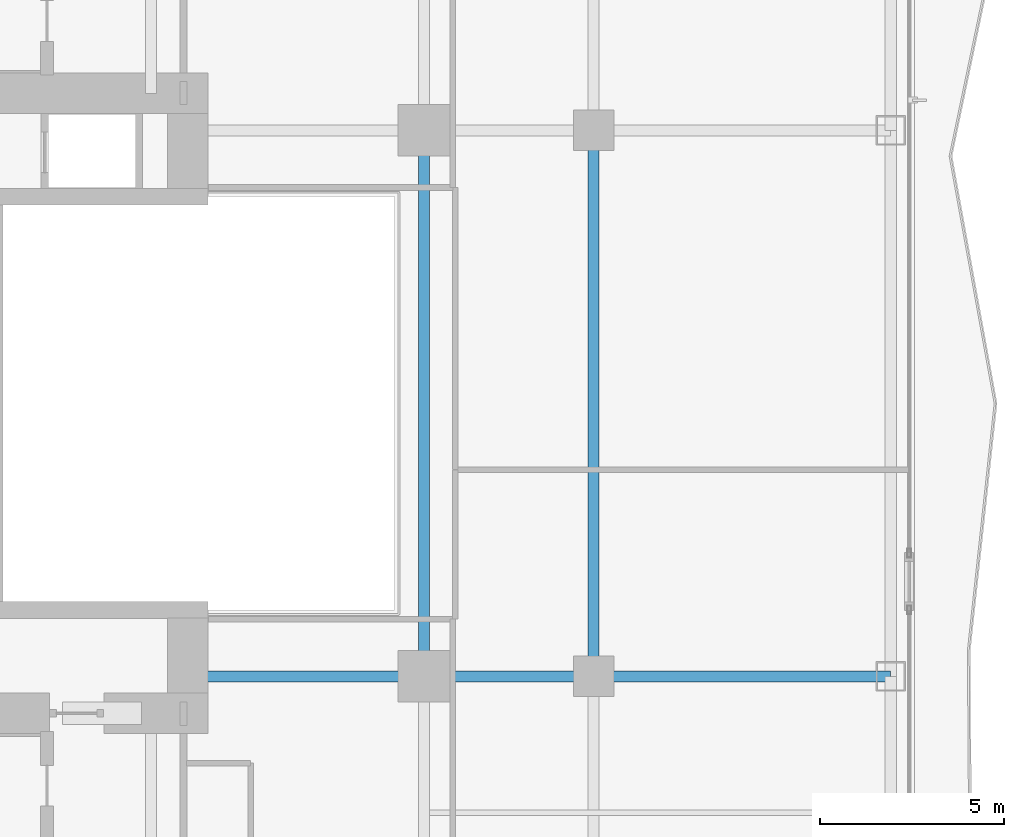
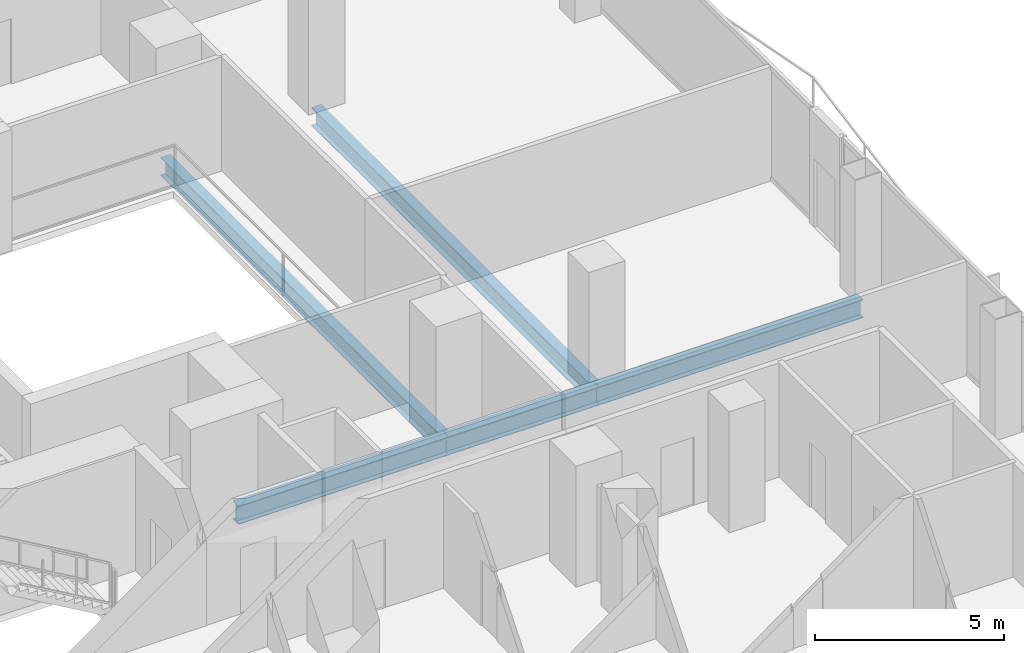
# One storey, part 11 of 30: 5 beams.
"""IFC4 building model written with IfcOpenShell, lengths in metres."""

from ifc_helpers import new_model, si_unit, direction, frame, origin, origin_2d, place, context, subcontext, project, spatial, i_section, extrude, material, material_profile, profile_set, type_object, element, save


model = new_model("IFC4")

# Units and contexts
model_context = context("Model", 3, precision=1e-05, world=origin(), true_north=direction((0.0, 1.0)))
body_context = subcontext(model_context, "Body", "Model", "MODEL_VIEW")
ifc_project = project(units=[si_unit("LENGTHUNIT", "METRE"), si_unit("AREAUNIT", "SQUARE_METRE"), si_unit("VOLUMEUNIT", "CUBIC_METRE"), si_unit("PLANEANGLEUNIT", "RADIAN"), si_unit("MASSUNIT", "GRAM", prefix="KILO")], contexts=[model_context])

# Site, building, storey
site_placement = place(None, origin())
site = spatial("IfcSite", under=ifc_project, at=site_placement, CompositionType="ELEMENT")
building_placement = place(site_placement, origin())
building = spatial("IfcBuilding", under=site, at=building_placement, Name="Khorvyn Point Tower", CompositionType="ELEMENT")
storey_placement = place(building_placement, frame((0.0, 0.0, 30.60009765625)))
storey = spatial("IfcBuildingStorey", under=building, at=storey_placement, Name="L08", CompositionType="ELEMENT", Elevation=30.60009765625)

# Beams
ifc_material = material(Name="Steel S355", Category="steel")
ifc_material_profile = material_profile(ifc_material, i_section(OverallWidth=0.300048828125, OverallDepth=0.587890625, WebThickness=0.011962890625, FlangeThickness=0.02001953125, at=origin_2d()))
ifc_profile_set = profile_set([ifc_material_profile], Name="Steel S355 H588x300x12x20")
beam_type = type_object("IfcBeamType", Name="Steel S355 Beam H588x300x12x20", PredefinedType="BEAM", material=ifc_profile_set)
beam_1_placement = place(storey_placement, frame((8.39990234375, -7.39990234375, -0.51416015625), z_axis=(1.0, 0.0, 0.0), x_axis=(0.0, 1.0, 0.0)))
element("IfcBeam", 1, at=beam_1_placement, inside=storey, type_object=beam_type, Name="Beam", PredefinedType="BEAM", context=body_context, shape_type="SweptSolid", body=[
    extrude(i_section(OverallWidth=0.300048828125, OverallDepth=0.587890625, WebThickness=0.011962890625, FlangeThickness=0.02001953125, at=origin_2d()), origin(), (0.0, 0.0, 1.0), 6.400146484375),
])
beam_2_placement = place(storey_placement, frame((14.800048828125, -7.39990234375, -0.51416015625), z_axis=(1.0, 0.0, 0.0), x_axis=(0.0, 1.0, 0.0)))
element("IfcBeam", 2, at=beam_2_placement, inside=storey, type_object=beam_type, Name="Beam", PredefinedType="BEAM", context=body_context, shape_type="SweptSolid", body=[
    extrude(i_section(OverallWidth=0.300048828125, OverallDepth=0.587890625, WebThickness=0.011962890625, FlangeThickness=0.02001953125, at=origin_2d()), origin(), (0.0, 0.0, 1.0), 4.599853515625),
])
beam_3_placement = place(storey_placement, frame((19.39990234375, -7.39990234375, -0.51416015625), z_axis=(1.0, 0.0, 0.0), x_axis=(0.0, 1.0, 0.0)))
element("IfcBeam", 3, at=beam_3_placement, inside=storey, type_object=beam_type, Name="Beam", PredefinedType="BEAM", context=body_context, shape_type="SweptSolid", body=[
    extrude(i_section(OverallWidth=0.300048828125, OverallDepth=0.587890625, WebThickness=0.011962890625, FlangeThickness=0.02001953125, at=origin_2d()), origin(), (0.0, 0.0, 1.0), 8.050048828125),
])
for number, where, z_axis, x_axis, name in (
    (4, (14.800048828125, -7.39990234375, -0.51416015625), (0.0, 1.0, 0.0), (-1.0, 0.0, 0.0), "Beam"),
    (5, (19.39990234375, -7.39990234375, -0.51416015625), (0.0, 1.0, 0.0), (-1.0, 0.0, 0.0), "Beam"),
):
    element("IfcBeam", number, at=place(storey_placement, frame(where, z_axis=z_axis, x_axis=x_axis)), inside=storey, type_object=beam_type, Name=name, PredefinedType="BEAM", context=body_context, shape_type="SweptSolid", body=[
        extrude(i_section(OverallWidth=0.300048828125, OverallDepth=0.587890625, WebThickness=0.011962890625, FlangeThickness=0.02001953125, at=origin_2d()), origin(), (0.0, 0.0, 1.0), 14.7998046875),
    ])

save(model, "model.ifc")
